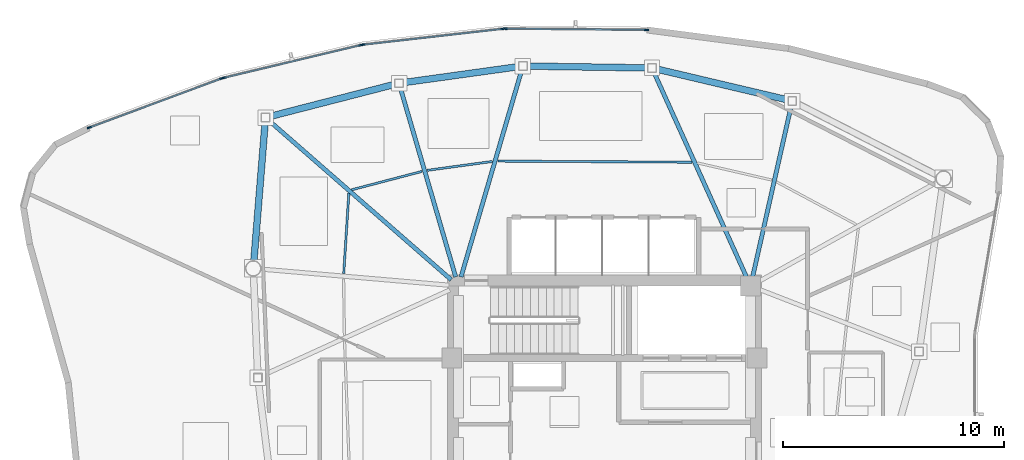
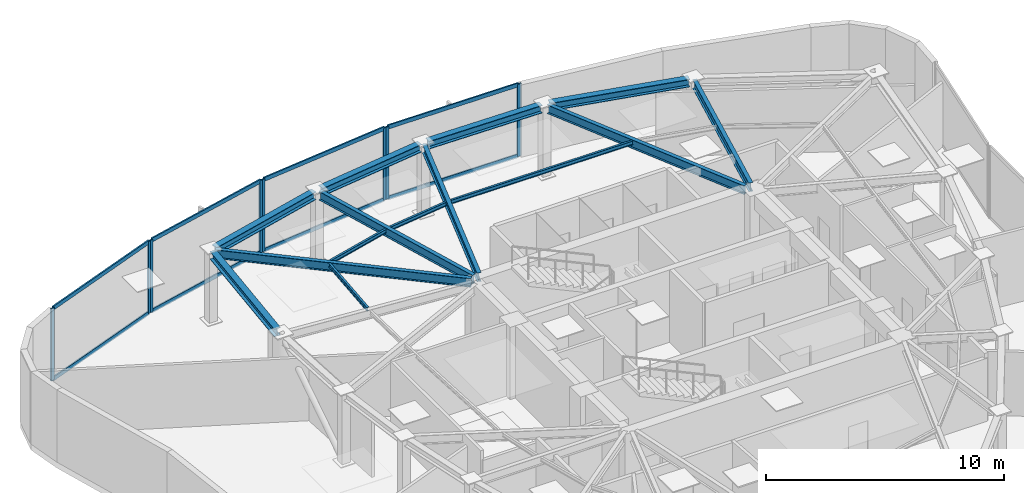
# One storey, part 5 of 11: 16 members, 14 beams, 4 elements without a shape of their own.
"""IFC4 building model written with IfcOpenShell, lengths in metres."""

from ifc_helpers import new_model, si_unit, direction, frame, origin, origin_2d, place, context, subcontext, project, spatial, hollow_rectangle, i_section, extrude, source, transform, mapped, material, layer, layer_set, material_profile, profile_set, type_object, type_shapes, element, aggregate, save


model = new_model("IFC4")

# Units and contexts
model_context = context("Model", 3, precision=1e-05, world=origin(), true_north=direction((0.0, 1.0)))
body_context = subcontext(model_context, "Body", "Model", "MODEL_VIEW")
ifc_project = project(units=[si_unit("LENGTHUNIT", "METRE"), si_unit("AREAUNIT", "SQUARE_METRE"), si_unit("VOLUMEUNIT", "CUBIC_METRE"), si_unit("PLANEANGLEUNIT", "RADIAN"), si_unit("MASSUNIT", "GRAM", prefix="KILO")], contexts=[model_context])

# Site, building, storey
site_placement = place(None, origin())
site = spatial("IfcSite", under=ifc_project, at=site_placement, CompositionType="ELEMENT")
building_placement = place(site_placement, origin())
building = spatial("IfcBuilding", under=site, at=building_placement, Name="Tavelor Broadcast Tower", CompositionType="ELEMENT")
storey_placement = place(building_placement, frame((0.0, 0.0, 309.5)))
storey = spatial("IfcBuildingStorey", under=building, at=storey_placement, Name="L74", CompositionType="ELEMENT", Elevation=309.5)

# Beams
ifc_material_1 = material(Name="Steel S355", Category="steel")
ifc_material_profile_1 = material_profile(ifc_material_1, i_section(OverallWidth=0.10009765625, OverallDepth=0.199951171875, WebThickness=0.005615234375, FlangeThickness=0.008544921875, at=origin_2d()), Name="IPE 200")
ifc_profile_set_1 = profile_set([ifc_material_profile_1], Name="Steel S355")
beam_type_1 = type_object("IfcBeamType", Name="Composite Floor Joist T8 IPE 200", PredefinedType="JOIST", material=ifc_profile_set_1)
beam_1_placement = place(storey_placement, frame((53.948486328125, 56.79248046875, 3.60009765625), z_axis=(-0.999983070215, 0.005818873004, 0.0), x_axis=(-0.005818873004, -0.999983070215, 0.0)))
element("IfcBeam", 1, at=beam_1_placement, inside=storey, type_object=beam_type_1, Name="L74 Secondary Composite Floor Joist 15", PredefinedType="JOIST", context=body_context, shape_type="SweptSolid", body=[
    extrude(i_section(OverallWidth=0.10009765625, OverallDepth=0.199951171875, WebThickness=0.005615234375, FlangeThickness=0.008544921875, at=origin_2d()), origin(), (0.0, 0.0, 1.0), 8.76904296875),
])
beam_2_placement = place(storey_placement, frame((44.933349609375, 56.827392578125, 3.60009765625), z_axis=(-0.990783480594, -0.135455138636, 0.0), x_axis=(0.135455138636, -0.990783480594, 0.0)))
element("IfcBeam", 2, at=beam_2_placement, inside=storey, type_object=beam_type_1, Name="L74 Secondary Composite Floor Joist 16", PredefinedType="JOIST", context=body_context, shape_type="SweptSolid", body=[
    extrude(i_section(OverallWidth=0.10009765625, OverallDepth=0.199951171875, WebThickness=0.005615234375, FlangeThickness=0.008544921875, at=origin_2d()), origin(), (0.0, 0.0, 1.0), 2.963134765625),
])
beam_3_placement = place(storey_placement, frame((41.755126953125, 56.3779296875, 3.60009765625), z_axis=(-0.967401296423, -0.253248359677, 0.0), x_axis=(0.253248359677, -0.967401296423, 0.0)))
element("IfcBeam", 3, at=beam_3_placement, inside=storey, type_object=beam_type_1, Name="L74 Secondary Composite Floor Joist 17", PredefinedType="JOIST", context=body_context, shape_type="SweptSolid", body=[
    extrude(i_section(OverallWidth=0.10009765625, OverallDepth=0.199951171875, WebThickness=0.005615234375, FlangeThickness=0.008544921875, at=origin_2d()), origin(), (0.0, 0.0, 1.0), 3.282470703125),
])
beam_4_placement = place(storey_placement, frame((38.451904296875, 55.391845703125, 3.60009765625), z_axis=(-0.063760012588, -0.997965260315, 0.0), x_axis=(0.997965260315, -0.063760012588, 0.0)))
element("IfcBeam", 4, at=beam_4_placement, inside=storey, type_object=beam_type_1, Name="L74 Secondary Composite Floor Joist 18", PredefinedType="JOIST", context=body_context, shape_type="SweptSolid", body=[
    extrude(i_section(OverallWidth=0.10009765625, OverallDepth=0.199951171875, WebThickness=0.005615234375, FlangeThickness=0.008544921875, at=origin_2d()), origin(), (0.0, 0.0, 1.0), 3.6298828125),
])
ifc_material_profile_2 = material_profile(ifc_material_1, i_section(OverallWidth=0.300048828125, OverallDepth=0.39990234375, WebThickness=0.013427734375, FlangeThickness=0.02392578125, at=origin_2d()), Name="HEB 400")
ifc_profile_set_2 = profile_set([ifc_material_profile_2], Name="Steel S355")
beam_type_2 = type_object("IfcBeamType", Name="Perimeter Spandrel Beam T8 HEB 400", PredefinedType="SPANDREL", material=ifc_profile_set_2)
beam_5_placement = place(storey_placement, frame((58.298583984375, 59.601318359375, 3.5), z_axis=(-0.973341352965, 0.229361310181, 0.0), x_axis=(-0.229361310181, -0.973341352965, 0.0)))
element("IfcBeam", 5, at=beam_5_placement, inside=storey, type_object=beam_type_2, Name="L74 Framed-Tube Ring Spandrel 14", PredefinedType="SPANDREL", context=body_context, shape_type="SweptSolid", body=[
    extrude(i_section(OverallWidth=0.300048828125, OverallDepth=0.39990234375, WebThickness=0.013427734375, FlangeThickness=0.02392578125, at=origin_2d()), origin(), (0.0, 0.0, 1.0), 6.1279296875),
])
beam_6_placement = place(storey_placement, frame((51.955078125, 61.0537109375, 3.5), z_axis=(-0.999889988423, 0.014832769514, 0.0), x_axis=(-0.014832769514, -0.999889988423, 0.0)))
element("IfcBeam", 6, at=beam_6_placement, inside=storey, type_object=beam_type_2, Name="L74 Framed-Tube Ring Spandrel 15", PredefinedType="SPANDREL", context=body_context, shape_type="SweptSolid", body=[
    extrude(i_section(OverallWidth=0.300048828125, OverallDepth=0.39990234375, WebThickness=0.013427734375, FlangeThickness=0.02392578125, at=origin_2d()), origin(), (0.0, 0.0, 1.0), 5.447998046875),
])
beam_7_placement = place(storey_placement, frame((46.125244140625, 61.11083984375, 3.5), z_axis=(-0.990516995132, -0.137390255677, 0.0), x_axis=(0.137390255677, -0.990516995132, 0.0)))
element("IfcBeam", 7, at=beam_7_placement, inside=storey, type_object=beam_type_2, Name="L74 Framed-Tube Ring Spandrel 16", PredefinedType="SPANDREL", context=body_context, shape_type="SweptSolid", body=[
    extrude(i_section(OverallWidth=0.300048828125, OverallDepth=0.39990234375, WebThickness=0.013427734375, FlangeThickness=0.02392578125, at=origin_2d()), origin(), (0.0, 0.0, 1.0), 5.26708984375),
])
beam_8_placement = place(storey_placement, frame((40.531982421875, 60.31298828125, 3.5), z_axis=(-0.96843501409, -0.249266169955, 0.0), x_axis=(0.249266169955, -0.96843501409, 0.0)))
element("IfcBeam", 8, at=beam_8_placement, inside=storey, type_object=beam_type_2, Name="L74 Framed-Tube Ring Spandrel 17", PredefinedType="SPANDREL", context=body_context, shape_type="SweptSolid", body=[
    extrude(i_section(OverallWidth=0.300048828125, OverallDepth=0.39990234375, WebThickness=0.013427734375, FlangeThickness=0.02392578125, at=origin_2d()), origin(), (0.0, 0.0, 1.0), 5.84130859375),
])
beam_9_placement = place(storey_placement, frame((34.673583984375, 58.61767578125, 3.5), z_axis=(-0.081080064874, -0.996707591563, 0.0), x_axis=(0.996707591563, -0.081080064874, 0.0)))
element("IfcBeam", 9, at=beam_9_placement, inside=storey, type_object=beam_type_2, Name="L74 Framed-Tube Ring Spandrel 18", PredefinedType="SPANDREL", context=body_context, shape_type="SweptSolid", body=[
    extrude(i_section(OverallWidth=0.300048828125, OverallDepth=0.39990234375, WebThickness=0.013427734375, FlangeThickness=0.02392578125, at=origin_2d()), origin(), (0.0, 0.0, 1.0), 6.30224609375),
])
ifc_material_profile_3 = material_profile(ifc_material_1, i_section(OverallWidth=0.18994140625, OverallDepth=0.449951171875, WebThickness=0.009521484375, FlangeThickness=0.0146484375, at=origin_2d()), Name="IPE 450")
ifc_profile_set_3 = profile_set([ifc_material_profile_3], Name="Steel S355")
beam_type_3 = type_object("IfcBeamType", Name="Radial Floor Girder T8 IPE 450", PredefinedType="BEAM", material=ifc_profile_set_3)
beam_10_placement = place(storey_placement, frame((56.695068359375, 51.621337890625, 3.47509765625), z_axis=(0.220095779936, 0.975478266111, 0.0), x_axis=(-0.975478266111, 0.220095779936, 0.0)))
element("IfcBeam", 10, at=beam_10_placement, inside=storey, type_object=beam_type_3, Name="L74 Radial Primary Floor Girder 14", PredefinedType="BEAM", context=body_context, shape_type="SweptSolid", body=[
    extrude(i_section(OverallWidth=0.18994140625, OverallDepth=0.449951171875, WebThickness=0.009521484375, FlangeThickness=0.0146484375, at=origin_2d()), origin(), (0.0, 0.0, 1.0), 7.943359375),
])
beam_11_placement = place(storey_placement, frame((56.422119140625, 51.59375, 3.47509765625), z_axis=(-0.411898788623, 0.911229602203, 0.0), x_axis=(-0.911229602203, -0.411898788623, 0.0)))
element("IfcBeam", 11, at=beam_11_placement, inside=storey, type_object=beam_type_3, Name="L74 Radial Primary Floor Girder 15", PredefinedType="BEAM", context=body_context, shape_type="SweptSolid", body=[
    extrude(i_section(OverallWidth=0.18994140625, OverallDepth=0.449951171875, WebThickness=0.009521484375, FlangeThickness=0.0146484375, at=origin_2d()), origin(), (0.0, 0.0, 1.0), 10.1865234375),
])
beam_12_placement = place(storey_placement, frame((43.521484375, 51.614501953125, 3.47509765625), z_axis=(0.281536086391, 0.959550640696, 0.0), x_axis=(-0.959550640696, 0.281536086391, 0.0)))
element("IfcBeam", 12, at=beam_12_placement, inside=storey, type_object=beam_type_3, Name="L74 Radial Primary Floor Girder 16", PredefinedType="BEAM", context=body_context, shape_type="SweptSolid", body=[
    extrude(i_section(OverallWidth=0.18994140625, OverallDepth=0.449951171875, WebThickness=0.009521484375, FlangeThickness=0.0146484375, at=origin_2d()), origin(), (0.0, 0.0, 1.0), 9.732177734375),
])
beam_13_placement = place(storey_placement, frame((43.278564453125, 51.614501953125, 3.47509765625), z_axis=(-0.280989740676, 0.959710771866, 0.0), x_axis=(-0.959710771866, -0.280989740676, 0.0)))
element("IfcBeam", 13, at=beam_13_placement, inside=storey, type_object=beam_type_3, Name="L74 Radial Primary Floor Girder 17", PredefinedType="BEAM", context=body_context, shape_type="SweptSolid", body=[
    extrude(i_section(OverallWidth=0.18994140625, OverallDepth=0.449951171875, WebThickness=0.009521484375, FlangeThickness=0.0146484375, at=origin_2d()), origin(), (0.0, 0.0, 1.0), 8.92138671875),
])
beam_14_placement = place(storey_placement, frame((43.07470703125, 51.484130859375, 3.47509765625), z_axis=(-0.753136193323, 0.657864632206, 0.0), x_axis=(-0.657864632206, -0.753136193323, 0.0)))
element("IfcBeam", 14, at=beam_14_placement, inside=storey, type_object=beam_type_3, Name="L74 Radial Primary Floor Girder 18", PredefinedType="BEAM", context=body_context, shape_type="SweptSolid", body=[
    extrude(i_section(OverallWidth=0.18994140625, OverallDepth=0.449951171875, WebThickness=0.009521484375, FlangeThickness=0.0146484375, at=origin_2d()), origin(), (0.0, 0.0, 1.0), 10.942138671875),
])

# Curtain wall, members
ifc_material_2 = material(Name="Architectural Anodized Aluminium", Category="aluminium")
ifc_layer = layer(ifc_material_2, 0.199951171875)
ifc_layer_set = layer_set([ifc_layer], Name="Architectural Anodized Aluminium")
curtain_wall_type = type_object("IfcCurtainWallType", Name="Tower High-Zone Triple-Glazed Curtain Wall CW04", PredefinedType="NOTDEFINED", material=ifc_layer_set)
curtain_wall_1_placement = place(storey_placement, origin())
curtain_wall_1 = element("IfcCurtainWall", 15, at=curtain_wall_1_placement, inside=storey, type_object=curtain_wall_type, Name="L74 Curtain Wall CW04 Run 825", PredefinedType="NOTDEFINED")
ifc_material_profile_4 = material_profile(ifc_material_2, hollow_rectangle(XDim=0.070068359375, YDim=0.199951171875, WallThickness=0.02197265625, at=origin_2d()), Name="RHS 70x200x22")
ifc_profile_set_4 = profile_set([ifc_material_profile_4], Name="Architectural Anodized Aluminium")
member_type_1 = type_object("IfcMemberType", Name="CW04 Extruded Aluminium Mullion 70x200", PredefinedType="MULLION", material=ifc_profile_set_4)
shared_shape_1 = source(origin(), body_context, "Body", "SweptSolid", [
    extrude(hollow_rectangle(XDim=0.070068359375, YDim=0.199951171875, WallThickness=0.02197265625, at=origin_2d()), origin(), (0.0, 0.0, 1.0), 3.699951171875),
])
type_shapes(member_type_1, [shared_shape_1])
member_1_placement = place(storey_placement, frame((51.893798828125, 62.770751953125, 0.0), z_axis=(0.0, 0.0, 1.0), x_axis=(-0.008296732153, -0.999965581525, 0.0)))
member_1 = element("IfcMember", 16, at=member_1_placement, type_object=member_type_1, Name="CW04 mullion 1", PredefinedType="MULLION", context=body_context, shape_type="MappedRepresentation", body=[
    mapped(shared_shape_1, transform((0.0, 0.0, 0.0), scale=1.0)),
])
member_2_placement = place(storey_placement, frame((45.515869140625, 62.82373046875, 0.0), z_axis=(0.0, 0.0, 1.0), x_axis=(-0.008296732153, -0.999965581525, 0.0)))
member_2 = element("IfcMember", 17, at=member_2_placement, type_object=member_type_1, Name="CW04 mullion 2", PredefinedType="MULLION", context=body_context, shape_type="MappedRepresentation", body=[
    mapped(shared_shape_1, transform((0.0, 0.0, 0.0), scale=1.0)),
])

curtain_wall_2_placement = place(storey_placement, origin())
curtain_wall_2 = element("IfcCurtainWall", 18, at=curtain_wall_2_placement, inside=storey, type_object=curtain_wall_type, Name="L74 Curtain Wall CW04 Run 826", PredefinedType="NOTDEFINED")
member_3_placement = place(storey_placement, frame((45.416015625, 62.818359375, 0.0), z_axis=(0.0, 0.0, 1.0), x_axis=(0.112773664739, -0.993620702553, 0.0)))
member_3 = element("IfcMember", 19, at=member_3_placement, type_object=member_type_1, Name="CW04 mullion 1", PredefinedType="MULLION", context=body_context, shape_type="MappedRepresentation", body=[
    mapped(shared_shape_1, transform((0.0, 0.0, 0.0), scale=1.0)),
])
member_4_placement = place(storey_placement, frame((39.093505859375, 62.100830078125, 0.0), z_axis=(0.0, 0.0, 1.0), x_axis=(0.112773664739, -0.993620702553, 0.0)))
member_4 = element("IfcMember", 20, at=member_4_placement, type_object=member_type_1, Name="CW04 mullion 2", PredefinedType="MULLION", context=body_context, shape_type="MappedRepresentation", body=[
    mapped(shared_shape_1, transform((0.0, 0.0, 0.0), scale=1.0)),
])

curtain_wall_3_placement = place(storey_placement, origin())
curtain_wall_3 = element("IfcCurtainWall", 21, at=curtain_wall_3_placement, inside=storey, type_object=curtain_wall_type, Name="L74 Curtain Wall CW04 Run 827", PredefinedType="NOTDEFINED")
member_5_placement = place(storey_placement, frame((38.9951171875, 62.083740234375, 0.0), z_axis=(0.0, 0.0, 1.0), x_axis=(0.232196984014, -0.972668782585, 0.0)))
member_5 = element("IfcMember", 22, at=member_5_placement, type_object=member_type_1, Name="CW04 mullion 1", PredefinedType="MULLION", context=body_context, shape_type="MappedRepresentation", body=[
    mapped(shared_shape_1, transform((0.0, 0.0, 0.0), scale=1.0)),
])
member_6_placement = place(storey_placement, frame((32.8056640625, 60.606201171875, 0.0), z_axis=(0.0, 0.0, 1.0), x_axis=(0.232196984014, -0.972668782585, 0.0)))
member_6 = element("IfcMember", 23, at=member_6_placement, type_object=member_type_1, Name="CW04 mullion 2", PredefinedType="MULLION", context=body_context, shape_type="MappedRepresentation", body=[
    mapped(shared_shape_1, transform((0.0, 0.0, 0.0), scale=1.0)),
])

curtain_wall_4_placement = place(storey_placement, origin())
curtain_wall_4 = element("IfcCurtainWall", 24, at=curtain_wall_4_placement, inside=storey, type_object=curtain_wall_type, Name="L74 Curtain Wall CW04 Run 828", PredefinedType="NOTDEFINED")
member_7_placement = place(storey_placement, frame((32.710205078125, 60.5771484375, 0.0), z_axis=(0.0, 0.0, 1.0), x_axis=(0.348180300628, -0.937427585606, 0.0)))
member_7 = element("IfcMember", 25, at=member_7_placement, type_object=member_type_1, Name="CW04 mullion 1", PredefinedType="MULLION", context=body_context, shape_type="MappedRepresentation", body=[
    mapped(shared_shape_1, transform((0.0, 0.0, 0.0), scale=1.0)),
])
member_8_placement = place(storey_placement, frame((26.730224609375, 58.35595703125, 0.0), z_axis=(0.0, 0.0, 1.0), x_axis=(0.348180300628, -0.937427585606, 0.0)))
member_8 = element("IfcMember", 26, at=member_8_placement, type_object=member_type_1, Name="CW04 mullion 2", PredefinedType="MULLION", context=body_context, shape_type="MappedRepresentation", body=[
    mapped(shared_shape_1, transform((0.0, 0.0, 0.0), scale=1.0)),
])

# Member
ifc_material_profile_5 = material_profile(ifc_material_2, hollow_rectangle(XDim=0.070068359375, YDim=0.199951171875, WallThickness=0.02197265625, at=origin_2d()), Name="RHS 70x200x22")
ifc_profile_set_5 = profile_set([ifc_material_profile_5], Name="Architectural Anodized Aluminium")
member_type_2 = type_object("IfcMemberType", Name="CW04 Extruded Aluminium Transom 70x200", PredefinedType="USERDEFINED", material=ifc_profile_set_5)
shared_shape_2 = source(origin(), body_context, "Body", "SweptSolid", [
    extrude(hollow_rectangle(XDim=0.070068359375, YDim=0.199951171875, WallThickness=0.02197265625, at=origin_2d()), origin(), (0.0, 0.0, 1.0), 6.308349609375),
])
member_9_placement = place(storey_placement, frame((51.85888671875, 62.77099609375, 0.034912109375), z_axis=(-0.999965381632, 0.008320789421, 0.0), x_axis=(-0.008320789421, -0.999965381632, 0.0)))
member_9 = element("IfcMember", 27, at=member_9_placement, type_object=member_type_2, Name="CW04 transom 1.1", ObjectType="TRANSOM", PredefinedType="USERDEFINED", context=body_context, shape_type="MappedRepresentation", body=[
    mapped(shared_shape_2, transform((0.0, 0.0, 0.0), scale=1.0)),
])

member_10_placement = place(storey_placement, frame((51.85888671875, 62.77099609375, 3.6650390625), z_axis=(-0.999965381632, 0.008320789421, 0.0), x_axis=(-0.008320789421, -0.999965381632, 0.0)))
member_10 = element("IfcMember", 28, at=member_10_placement, type_object=member_type_2, Name="CW04 transom 1.2", ObjectType="TRANSOM", PredefinedType="USERDEFINED", context=body_context, shape_type="MappedRepresentation", body=[
    mapped(shared_shape_2, transform((0.0, 0.0, 0.0), scale=1.0)),
])

aggregate(curtain_wall_1, [member_1, member_2, member_9, member_10])

shared_shape_3 = source(origin(), body_context, "Body", "SweptSolid", [
    extrude(hollow_rectangle(XDim=0.070068359375, YDim=0.199951171875, WallThickness=0.02197265625, at=origin_2d()), origin(), (0.0, 0.0, 1.0), 6.293212890625),
])
member_11_placement = place(storey_placement, frame((45.38134765625, 62.814453125, 0.034912109375), z_axis=(-0.993620774706, -0.112773029011, 0.0), x_axis=(0.112773029011, -0.993620774706, 0.0)))
member_11 = element("IfcMember", 29, at=member_11_placement, type_object=member_type_2, Name="CW04 transom 1.1", ObjectType="TRANSOM", PredefinedType="USERDEFINED", context=body_context, shape_type="MappedRepresentation", body=[
    mapped(shared_shape_3, transform((0.0, 0.0, 0.0), scale=1.0)),
])

member_12_placement = place(storey_placement, frame((45.38134765625, 62.814453125, 3.6650390625), z_axis=(-0.993620774706, -0.112773029011, 0.0), x_axis=(0.112773029011, -0.993620774706, 0.0)))
member_12 = element("IfcMember", 30, at=member_12_placement, type_object=member_type_2, Name="CW04 transom 1.2", ObjectType="TRANSOM", PredefinedType="USERDEFINED", context=body_context, shape_type="MappedRepresentation", body=[
    mapped(shared_shape_3, transform((0.0, 0.0, 0.0), scale=1.0)),
])

aggregate(curtain_wall_2, [member_3, member_4, member_11, member_12])

member_13_placement = place(storey_placement, frame((38.961181640625, 62.075439453125, 0.034912109375), z_axis=(-0.972672856795, -0.23217991656, 0.0), x_axis=(0.23217991656, -0.972672856795, 0.0)))
member_13 = element("IfcMember", 31, at=member_13_placement, type_object=member_type_2, Name="CW04 transom 1.1", ObjectType="TRANSOM", PredefinedType="USERDEFINED", context=body_context, shape_type="MappedRepresentation", body=[
    mapped(shared_shape_3, transform((0.0, 0.0, 0.0), scale=1.0)),
])

member_14_placement = place(storey_placement, frame((38.961181640625, 62.075439453125, 3.6650390625), z_axis=(-0.972672856795, -0.23217991656, 0.0), x_axis=(0.23217991656, -0.972672856795, 0.0)))
member_14 = element("IfcMember", 32, at=member_14_placement, type_object=member_type_2, Name="CW04 transom 1.2", ObjectType="TRANSOM", PredefinedType="USERDEFINED", context=body_context, shape_type="MappedRepresentation", body=[
    mapped(shared_shape_3, transform((0.0, 0.0, 0.0), scale=1.0)),
])

aggregate(curtain_wall_3, [member_5, member_6, member_13, member_14])

shared_shape_4 = source(origin(), body_context, "Body", "SweptSolid", [
    extrude(hollow_rectangle(XDim=0.070068359375, YDim=0.199951171875, WallThickness=0.02197265625, at=origin_2d()), origin(), (0.0, 0.0, 1.0), 6.309326171875),
])
type_shapes(member_type_2, [shared_shape_2, shared_shape_3, shared_shape_4])
member_15_placement = place(storey_placement, frame((32.677490234375, 60.56494140625, 0.034912109375), z_axis=(-0.937428158845, -0.348178757256, 0.0), x_axis=(0.348178757256, -0.937428158845, 0.0)))
member_15 = element("IfcMember", 33, at=member_15_placement, type_object=member_type_2, Name="CW04 transom 1.1", ObjectType="TRANSOM", PredefinedType="USERDEFINED", context=body_context, shape_type="MappedRepresentation", body=[
    mapped(shared_shape_4, transform((0.0, 0.0, 0.0), scale=1.0)),
])

member_16_placement = place(storey_placement, frame((32.677490234375, 60.56494140625, 3.6650390625), z_axis=(-0.937428158845, -0.348178757256, 0.0), x_axis=(0.348178757256, -0.937428158845, 0.0)))
member_16 = element("IfcMember", 34, at=member_16_placement, type_object=member_type_2, Name="CW04 transom 1.2", ObjectType="TRANSOM", PredefinedType="USERDEFINED", context=body_context, shape_type="MappedRepresentation", body=[
    mapped(shared_shape_4, transform((0.0, 0.0, 0.0), scale=1.0)),
])

aggregate(curtain_wall_4, [member_7, member_8, member_15, member_16])

save(model, "model.ifc")
